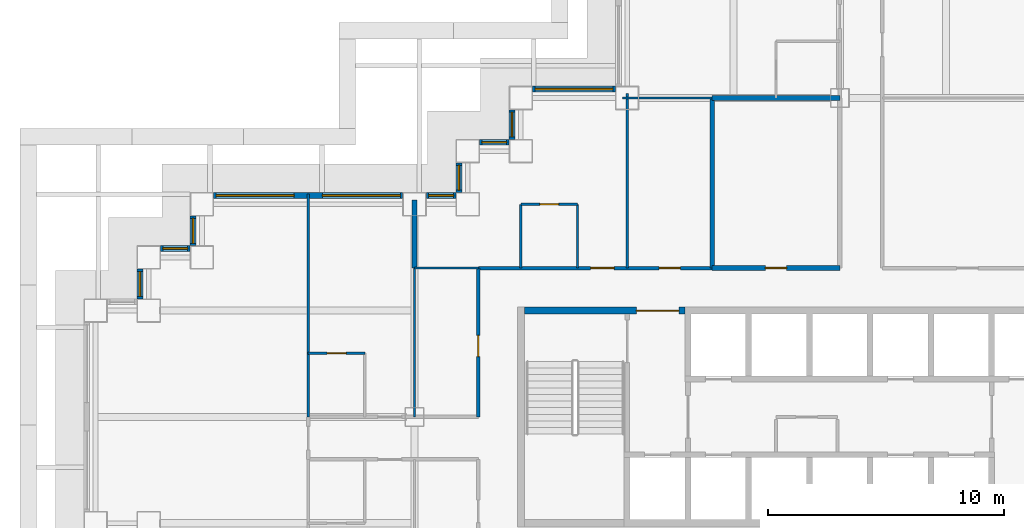
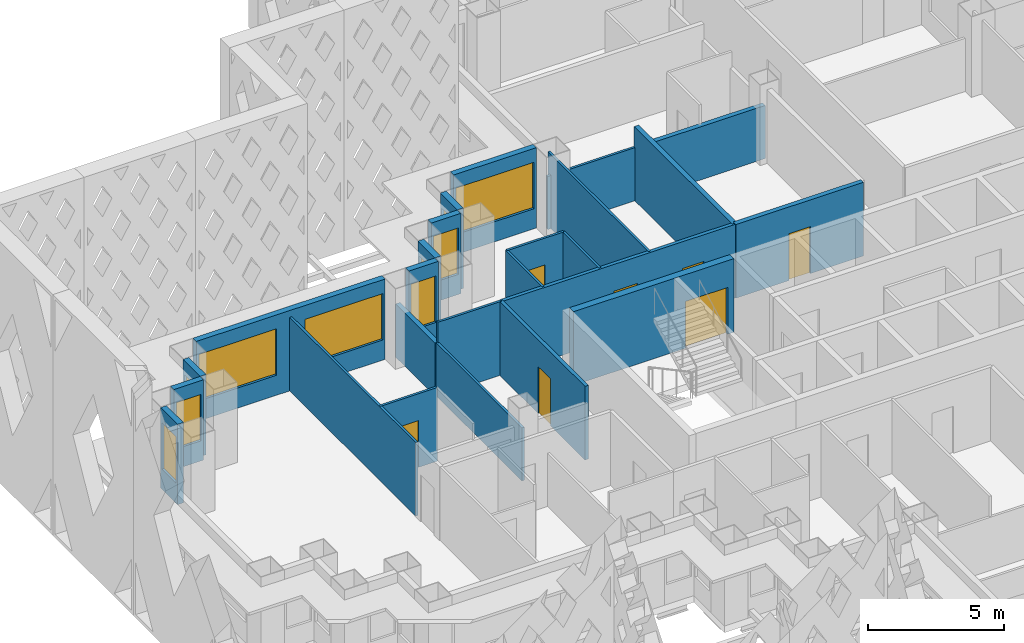
# One storey, part 7 of 19: 25 walls, 10 windows, 7 doors, 17 openings.
"""IFC4 building model written with IfcOpenShell, lengths in metres."""

import ifcopenshell
import ifcopenshell.guid

model = None  # the IFC model being written
_history = None  # IfcOwnerHistory: only IFC2X3 demands one
_inside = {}  # id of a spatial element -> (the spatial element, [elements in it])
_under = {}  # id of a project, library or spatial element -> (it, [spatial elements below it])
_declared = {}  # id of a project -> (the project, [libraries it declares])
_typed = {}  # id of a type object -> (the type object, [elements of that type])
_made_of = {}  # id of a material, layer set ... -> (it, [elements and type objects made of it])


def new_model(schema):
    """Start an empty IFC model of exactly this schema.

    Asked for "IFC4X3", IfcOpenShell would pick the latest addendum, in which some entities
    have other attributes; the version numbers below select the first issue.
    IFC2X3 requires an IfcOwnerHistory on every rooted entity: one is made here for all.
    """
    global model, _history
    if schema == "IFC4X3":
        model = ifcopenshell.file(schema_version=(4, 3, 0, 0))
    else:
        model = ifcopenshell.file(schema=schema)
    _inside.clear()
    _under.clear()
    _declared.clear()
    _typed.clear()
    _made_of.clear()
    _history = None
    if model.schema == "IFC2X3":
        org = make("IfcOrganization", Name="unknown")
        user = make(
            "IfcPersonAndOrganization",
            ThePerson=make("IfcPerson", FamilyName="unknown"),
            TheOrganization=org,
        )
        app = make(
            "IfcApplication",
            ApplicationDeveloper=org,
            Version="unknown",
            ApplicationFullName="unknown",
            ApplicationIdentifier="unknown",
        )
        _history = make(
            "IfcOwnerHistory",
            OwningUser=user,
            OwningApplication=app,
            ChangeAction="ADDED",
            CreationDate=0,
        )
    return model


def make(cls, **values):
    """One entity of the class cls with the attributes given. An attribute that is None is left unset."""
    return model.create_entity(
        cls, **{name: value for name, value in values.items() if value is not None}
    )


def rooted(cls, **values):
    """An entity with a GlobalId (a new one), such as an element, a storey or a relation."""
    return make(cls, GlobalId=ifcopenshell.guid.new(), OwnerHistory=_history, **values)


def si_unit(unit_type, name, prefix=None):
    """IfcSIUnit, for example si_unit("LENGTHUNIT", "METRE", prefix="MILLI")."""
    return make("IfcSIUnit", UnitType=unit_type, Prefix=prefix, Name=name)


def assignment(units):
    """IfcUnitAssignment: the units of a project."""
    return None if units is None else make("IfcUnitAssignment", Units=units)


def point(xyz):
    """IfcCartesianPoint."""
    return None if xyz is None else make("IfcCartesianPoint", Coordinates=xyz)


def direction(xyz):
    """IfcDirection."""
    return None if xyz is None else make("IfcDirection", DirectionRatios=xyz)


def frame(location, z_axis=None, x_axis=None):
    """IfcAxis2Placement3D, a coordinate frame: its origin and axes. An axis left out is left unset."""
    return make(
        "IfcAxis2Placement3D",
        Location=point(location),
        Axis=direction(z_axis),
        RefDirection=direction(x_axis),
    )


def frame_2d(location, x_axis=None):
    """IfcAxis2Placement2D, a coordinate frame in the plane: its origin and x axis."""
    return make(
        "IfcAxis2Placement2D", Location=point(location), RefDirection=direction(x_axis)
    )


def origin():
    """The frame at (0, 0, 0) with its axes left unset."""
    return frame((0.0, 0.0, 0.0))


def place(relative_to, where):
    """IfcLocalPlacement: puts the frame where relative to a parent placement (None: the world)."""
    return make(
        "IfcLocalPlacement", PlacementRelTo=relative_to, RelativePlacement=where
    )


def context(
    kind, dimensions, precision=None, world=None, true_north=None, identifier=None
):
    """IfcGeometricRepresentationContext, for example the 3D "Model" context."""
    return make(
        "IfcGeometricRepresentationContext",
        ContextIdentifier=identifier,
        ContextType=kind,
        CoordinateSpaceDimension=dimensions,
        Precision=precision,
        WorldCoordinateSystem=world,
        TrueNorth=true_north,
    )


def subcontext(parent, identifier, kind, view, scale=None):
    """IfcGeometricRepresentationSubContext, for example "Body" below "Model"."""
    return make(
        "IfcGeometricRepresentationSubContext",
        ContextIdentifier=identifier,
        ContextType=kind,
        ParentContext=parent,
        TargetScale=scale,
        TargetView=view,
    )


def project(units=None, contexts=None):
    """IfcProject with its units and contexts."""
    return rooted(
        "IfcProject",
        Name="project",
        RepresentationContexts=contexts,
        UnitsInContext=assignment(units),
    )


def spatial(cls, under=None, at=None, **own):
    """A site, building, storey or space (cls), placed at a placement, below another one or the project."""
    s = rooted(cls, ObjectPlacement=at, **own)
    if under is not None:
        _under.setdefault(under.id(), (under, []))[1].append(s)
    return s


def profile(cls, at=None, kind="AREA", **sizes):
    """A parametric profile (cls). Its sizes go by their IFC names, for example OverallWidth=200.0."""
    return make(cls, ProfileType=kind, Position=at, **sizes)


def rectangle(**sizes):
    """IfcRectangleProfileDef."""
    return profile("IfcRectangleProfileDef", **sizes)


def extrude(swept, where, along, depth):
    """IfcExtrudedAreaSolid: the profile swept, set in the frame where, extruded along a direction by depth."""
    return make(
        "IfcExtrudedAreaSolid",
        SweptArea=swept,
        Position=where,
        ExtrudedDirection=direction(along),
        Depth=depth,
    )


def shape(context_of_items, identifier, shape_type, items):
    """IfcShapeRepresentation: the items that make up one representation, for example the "Body"."""
    return make(
        "IfcShapeRepresentation",
        ContextOfItems=context_of_items,
        RepresentationIdentifier=identifier,
        RepresentationType=shape_type,
        Items=items,
    )


def material(Name=None, Category=None):
    """IfcMaterial."""
    return make("IfcMaterial", Name=Name, Category=Category)


def layer(
    of_material, thickness, ventilated=None, Name=None, Category=None, Priority=None
):
    """IfcMaterialLayer: one layer of a wall or slab, of a material (None: an air gap)."""
    return make(
        "IfcMaterialLayer",
        Material=of_material,
        LayerThickness=thickness,
        IsVentilated=ventilated,
        Name=Name,
        Category=Category,
        Priority=Priority,
    )


def layer_set(layers, Name=None):
    """IfcMaterialLayerSet."""
    return make("IfcMaterialLayerSet", MaterialLayers=layers, LayerSetName=Name)


def made_of(thing, what):
    """Note that an element or type object is made of a material, layer set ...; save() writes the relation."""
    if what is not None:
        _made_of.setdefault(what.id(), (what, []))[1].append(thing)
    return thing


def type_object(cls, material=None, **own):
    """A type object (cls), such as IfcWallType, which elements share."""
    return made_of(rooted(cls, **own), material)


def element(
    cls,
    number,
    at=None,
    inside=None,
    cuts=None,
    type_object=None,
    material=None,
    context=None,
    identifier="Body",
    shape_type=None,
    held_by="IfcProductDefinitionShape",
    body=None,
    shapes=None,
    **own,
):
    """One element of the class cls, such as IfcWall. Its Tag is "e" and its number.

    at: its placement. inside: the storey or other place that contains it. cuts: it is an
    opening in that element (IfcRelVoidsElement). A single representation is given by context,
    identifier, shape_type and body (its items); several are given by shapes. held_by: the class
    of the entity that holds the representations. save() writes the other relations.
    """
    e = rooted(cls, Tag="e%d" % number, ObjectPlacement=at, **own)
    if body is not None:
        shapes = [shape(context, identifier, shape_type, body)]
    if shapes is not None:
        e.Representation = make(held_by, Representations=shapes)
    if inside is not None:
        _inside.setdefault(inside.id(), (inside, []))[1].append(e)
    if cuts is not None:
        rooted(
            "IfcRelVoidsElement", RelatingBuildingElement=cuts, RelatedOpeningElement=e
        )
    if type_object is not None:
        _typed.setdefault(type_object.id(), (type_object, []))[1].append(e)
    return made_of(e, material)


def fill(opening, filler):
    """IfcRelFillsElement: the door or window that sits in an opening."""
    return rooted(
        "IfcRelFillsElement",
        RelatingOpeningElement=opening,
        RelatedBuildingElement=filler,
    )


def aggregate(whole, parts):
    """IfcRelAggregates: a whole, such as a stair, and the parts it consists of."""
    return rooted("IfcRelAggregates", RelatingObject=whole, RelatedObjects=parts)


def save(model, path):
    """Write the relations noted so far, then the file.

    IfcRelAggregates (storeys below a building ...), IfcRelContainedInSpatialStructure (elements
    in a storey), IfcRelDefinesByType, IfcRelAssociatesMaterial and IfcRelDeclares: one each for
    every whole, place, type object, material and project.
    """
    for whole, parts in _under.values():
        aggregate(whole, parts)
    for where, things in _inside.values():
        rooted(
            "IfcRelContainedInSpatialStructure",
            RelatedElements=things,
            RelatingStructure=where,
        )
    for kind, things in _typed.values():
        rooted("IfcRelDefinesByType", RelatedObjects=things, RelatingType=kind)
    for what, things in _made_of.values():
        rooted("IfcRelAssociatesMaterial", RelatedObjects=things, RelatingMaterial=what)
    for by, libraries in _declared.values():
        rooted("IfcRelDeclares", RelatingContext=by, RelatedDefinitions=libraries)
    model.write(path)


model = new_model("IFC4")

# Units and contexts
model_context = context("Model", 3, precision=1e-05, world=origin(), true_north=direction((0.0, 1.0)))
body_context = subcontext(model_context, "Body", "Model", "MODEL_VIEW")
ifc_project = project(units=[si_unit("LENGTHUNIT", "METRE"), si_unit("AREAUNIT", "SQUARE_METRE"), si_unit("VOLUMEUNIT", "CUBIC_METRE"), si_unit("PLANEANGLEUNIT", "RADIAN"), si_unit("MASSUNIT", "GRAM", prefix="KILO")], contexts=[model_context])

# Site, building, storey
site_placement = place(None, origin())
site = spatial("IfcSite", under=ifc_project, at=site_placement, CompositionType="ELEMENT")
building_placement = place(site_placement, origin())
building = spatial("IfcBuilding", under=site, at=building_placement, Name="Caravel Reach Hotel and Residences", CompositionType="ELEMENT")
storey_placement = place(building_placement, frame((0.0, 0.0, 63.60009765625)))
storey = spatial("IfcBuildingStorey", under=building, at=storey_placement, Name="L14", CompositionType="ELEMENT", Elevation=63.60009765625)

# Wall, opening, door
ifc_material_1 = material(Name="Gypsum board on steel stud", Category="steel")
ifc_layer_1 = layer(ifc_material_1, 0.10009765625)
ifc_layer_set_1 = layer_set([ifc_layer_1], Name="Bathroom pod wall 100 mm")
wall_type_1 = type_object("IfcWallType", Name="Bathroom pod wall 100 mm", PredefinedType="PARTITIONING", material=ifc_layer_set_1)
wall_1_placement = place(storey_placement, frame((9.0, 29.699951171875, 0.0), z_axis=(0.0, 0.0, 1.0), x_axis=(1.0, 0.0, 0.0)))
wall_1 = element("IfcWall", 1, at=wall_1_placement, inside=storey, type_object=wall_type_1, Name="L14 wall w079", PredefinedType="PARTITIONING", context=body_context, shape_type="SweptSolid", body=[
    extrude(rectangle(XDim=2.39990234375, YDim=0.10009765625, at=frame_2d((1.199951171875, 0.0))), origin(), (0.0, 0.0, 1.0), 3.2998046875),
])
opening_1_placement = place(wall_1_placement, frame((0.800048828125, 0.0, 0.0)))
opening_1 = element("IfcOpeningElement", 2, at=opening_1_placement, cuts=wall_1, Name="Opening D14-018", PredefinedType="OPENING", context=body_context, shape_type="SweptSolid", body=[
    extrude(rectangle(XDim=0.800048828125, YDim=2.10009765625, at=frame_2d((0.39990234375, 1.050048828125))), frame((0.0, 0.06005859375, 0.0), z_axis=(0.0, -1.0, 0.0), x_axis=(1.0, 0.0, 0.0)), (0.0, 0.0, 1.0), 0.1201171875),
])
ifc_material_2 = material(Name="Timber and steel door leaf", Category="steel")
door_type_1 = type_object("IfcDoorType", Name="Bathroom door 800 x 2100", OperationType="SINGLE_SWING_LEFT", PredefinedType="DOOR", material=ifc_material_2)
door_1_placement = place(opening_1_placement, origin())
door_1 = element("IfcDoor", 3, at=door_1_placement, inside=storey, type_object=door_type_1, Name="door D14-018", OperationType="SINGLE_SWING_LEFT", OverallHeight=2.10009765625, OverallWidth=0.800048828125, PredefinedType="DOOR", context=body_context, shape_type="SweptSolid", body=[
    extrude(rectangle(XDim=0.800048828125, YDim=2.10009765625, at=frame_2d((0.39990234375, 1.050048828125))), frame((0.0, 0.02490234375, 0.0), z_axis=(0.0, -1.0, 0.0), x_axis=(1.0, 0.0, 0.0)), (0.0, 0.0, 1.0), 0.050048828125),
])
fill(opening_1, door_1)

wall_2_placement = place(storey_placement, frame((18.0, 36.0, 0.0), z_axis=(0.0, 0.0, 1.0), x_axis=(1.0, 0.0, 0.0)))
wall_2 = element("IfcWall", 4, at=wall_2_placement, inside=storey, type_object=wall_type_1, Name="L14 wall w081", PredefinedType="PARTITIONING", context=body_context, shape_type="SweptSolid", body=[
    extrude(rectangle(XDim=2.39990234375, YDim=0.10009765625, at=frame_2d((1.199951171875, 0.0))), origin(), (0.0, 0.0, 1.0), 3.2998046875),
])
opening_2_placement = place(wall_2_placement, frame((0.800048828125, 0.0, 0.0)))
opening_2 = element("IfcOpeningElement", 5, at=opening_2_placement, cuts=wall_2, Name="Opening D14-043", PredefinedType="OPENING", context=body_context, shape_type="SweptSolid", body=[
    extrude(rectangle(XDim=0.800048828125, YDim=2.10009765625, at=frame_2d((0.39990234375, 1.050048828125))), frame((0.0, 0.06005859375, 0.0), z_axis=(0.0, -1.0, 0.0), x_axis=(1.0, 0.0, 0.0)), (0.0, 0.0, 1.0), 0.1201171875),
])
door_2_placement = place(opening_2_placement, origin())
door_2 = element("IfcDoor", 6, at=door_2_placement, inside=storey, type_object=door_type_1, Name="door D14-043", OperationType="SINGLE_SWING_RIGHT", OverallHeight=2.10009765625, OverallWidth=0.800048828125, PredefinedType="DOOR", context=body_context, shape_type="SweptSolid", body=[
    extrude(rectangle(XDim=0.800048828125, YDim=2.10009765625, at=frame_2d((0.39990234375, 1.050048828125))), frame((0.0, 0.02490234375, 0.0), z_axis=(0.0, -1.0, 0.0), x_axis=(1.0, 0.0, 0.0)), (0.0, 0.0, 1.0), 0.050048828125),
])
fill(opening_2, door_2)

# Walls
for number, where, z_axis, x_axis, name in (
    (7, (18.0, 33.300048828125, 0.0), (0.0, 0.0, 1.0), (0.0, 1.0, 0.0), "L14 wall w090"),
    (8, (20.39990234375, 33.300048828125, 0.0), (0.0, 0.0, 1.0), (0.0, 1.0, 0.0), "L14 wall w091"),
):
    element("IfcWall", number, at=place(storey_placement, frame(where, z_axis=z_axis, x_axis=x_axis)), inside=storey, type_object=wall_type_1, Name=name, PredefinedType="PARTITIONING", context=body_context, shape_type="SweptSolid", body=[
        extrude(rectangle(XDim=2.699951171875, YDim=0.10009765625, at=frame_2d((1.35009765625, 0.0))), origin(), (0.0, 0.0, 1.0), 3.2998046875),
    ])

# Wall, opening, door
ifc_material_3 = material(Name="Autoclaved aerated block wall")
ifc_layer_2 = layer(ifc_material_3, 0.199951171875)
ifc_layer_set_2 = layer_set([ifc_layer_2], Name="Compartment wall 200 mm EI 120")
wall_type_2 = type_object("IfcWallType", Name="Compartment wall 200 mm EI 120", PredefinedType="PARTITIONING", material=ifc_layer_set_2)
wall_3_placement = place(storey_placement, frame((26.10009765625, 33.300048828125, 0.0), z_axis=(0.0, 0.0, 1.0), x_axis=(1.0, 0.0, 0.0)))
wall_3 = element("IfcWall", 9, at=wall_3_placement, inside=storey, type_object=wall_type_2, Name="L14 wall w105", PredefinedType="PARTITIONING", context=body_context, shape_type="SweptSolid", body=[
    extrude(rectangle(XDim=5.39990234375, YDim=0.199951171875, at=frame_2d((2.699951171875, 0.0))), origin(), (0.0, 0.0, 1.0), 3.2998046875),
])
opening_3_placement = place(wall_3_placement, frame((2.25, 0.0, 0.0)))
opening_3 = element("IfcOpeningElement", 10, at=opening_3_placement, cuts=wall_3, Name="Opening D14-052", PredefinedType="OPENING", context=body_context, shape_type="SweptSolid", body=[
    extrude(rectangle(XDim=0.89990234375, YDim=2.10009765625, at=frame_2d((0.449951171875, 1.050048828125))), frame((0.0, 0.10986328125, 0.0), z_axis=(0.0, -1.0, 0.0), x_axis=(1.0, 0.0, 0.0)), (0.0, 0.0, 1.0), 0.219970703125),
])
ifc_material_4 = material(Name="Steel fire door leaf", Category="steel")
door_type_2 = type_object("IfcDoorType", Name="Riser door 900 x 2100 EI 60", OperationType="SINGLE_SWING_LEFT", PredefinedType="DOOR", material=ifc_material_4)
door_3_placement = place(opening_3_placement, origin())
door_3 = element("IfcDoor", 11, at=door_3_placement, inside=storey, type_object=door_type_2, Name="door D14-052", OperationType="SINGLE_SWING_LEFT", OverallHeight=2.10009765625, OverallWidth=0.89990234375, PredefinedType="DOOR", context=body_context, shape_type="SweptSolid", body=[
    extrude(rectangle(XDim=0.89990234375, YDim=2.10009765625, at=frame_2d((0.449951171875, 1.050048828125))), frame((0.0, 0.02490234375, 0.0), z_axis=(0.0, -1.0, 0.0), x_axis=(1.0, 0.0, 0.0)), (0.0, 0.0, 1.0), 0.050048828125),
])
fill(opening_3, door_3)

# Walls
wall_4_placement = place(storey_placement, frame((26.10009765625, 40.5, 0.0), z_axis=(0.0, 0.0, 1.0), x_axis=(1.0, 0.0, 0.0)))
element("IfcWall", 12, at=wall_4_placement, inside=storey, type_object=wall_type_2, Name="L14 wall w106", PredefinedType="PARTITIONING", context=body_context, shape_type="SweptSolid", body=[
    extrude(rectangle(XDim=5.39990234375, YDim=0.199951171875, at=frame_2d((2.699951171875, 0.0))), origin(), (0.0, 0.0, 1.0), 2.3798828125),
])
wall_5_placement = place(storey_placement, frame((26.10009765625, 33.300048828125, 0.0), z_axis=(0.0, 0.0, 1.0), x_axis=(0.0, 1.0, 0.0)))
element("IfcWall", 13, at=wall_5_placement, inside=storey, type_object=wall_type_2, Name="L14 wall w107", PredefinedType="PARTITIONING", context=body_context, shape_type="SweptSolid", body=[
    extrude(rectangle(XDim=7.199951171875, YDim=0.199951171875, at=frame_2d((3.60009765625, 0.0))), origin(), (0.0, 0.0, 1.0), 3.2998046875),
])

# Wall, opening, door
ifc_material_5 = material(Name="Concrete C60", Category="concrete")
ifc_layer_3 = layer(ifc_material_5, 0.300048828125)
ifc_layer_set_3 = layer_set([ifc_layer_3], Name="Core wall 300 mm EI 120")
wall_type_3 = type_object("IfcWallType", Name="Core wall 300 mm EI 120", PredefinedType="SHEAR", material=ifc_layer_set_3)
wall_6_placement = place(storey_placement, frame((18.14990234375, 31.5, 0.0), z_axis=(0.0, 0.0, 1.0), x_axis=(1.0, 0.0, 0.0)))
wall_6 = element("IfcWall", 14, at=wall_6_placement, inside=storey, type_object=wall_type_3, Name="L14 core wall N1", PredefinedType="SHEAR", context=body_context, shape_type="SweptSolid", body=[
    extrude(rectangle(XDim=6.796630859375, YDim=0.300048828125, at=frame_2d((3.3984375, 0.0))), origin(), (0.0, 0.0, 1.0), 3.2998046875),
])
opening_4_placement = place(wall_6_placement, frame((4.735595703125, 0.0, 0.0)))
opening_4 = element("IfcOpeningElement", 15, at=opening_4_placement, cuts=wall_6, Name="Opening D14-013", PredefinedType="OPENING", context=body_context, shape_type="SweptSolid", body=[
    extrude(rectangle(XDim=1.800048828125, YDim=2.10009765625, at=frame_2d((0.89990234375, 1.050048828125))), frame((0.0, 0.159912109375, 0.0), z_axis=(0.0, -1.0, 0.0), x_axis=(1.0, 0.0, 0.0)), (0.0, 0.0, 1.0), 0.320068359375),
])
ifc_material_6 = material(Name="Steel fire door leaf", Category="steel")
door_type_3 = type_object("IfcDoorType", Name="Fire lobby door pair 1800 x 2100 EI 90", OperationType="DOUBLE_DOOR_SINGLE_SWING", PredefinedType="DOOR", material=ifc_material_6)
door_4_placement = place(opening_4_placement, origin())
door_4 = element("IfcDoor", 16, at=door_4_placement, inside=storey, type_object=door_type_3, Name="lobby N door pair to corridor", OperationType="DOUBLE_DOOR_SINGLE_SWING", OverallHeight=2.10009765625, OverallWidth=1.800048828125, PredefinedType="DOOR", context=body_context, shape_type="SweptSolid", body=[
    extrude(rectangle(XDim=1.800048828125, YDim=2.10009765625, at=frame_2d((0.89990234375, 1.050048828125))), frame((0.0, 0.02490234375, 0.0), z_axis=(0.0, -1.0, 0.0), x_axis=(1.0, 0.0, 0.0)), (0.0, 0.0, 1.0), 0.050048828125),
])
fill(opening_4, door_4)

# Wall, openings, doors
ifc_material_7 = material(Name="Gypsum board on steel stud, fire-rated", Category="steel")
ifc_layer_4 = layer(ifc_material_7, 0.14990234375)
ifc_layer_set_4 = layer_set([ifc_layer_4], Name="Corridor wall 150 mm EI 60")
wall_type_4 = type_object("IfcWallType", Name="Corridor wall 150 mm EI 60", PredefinedType="PARTITIONING", material=ifc_layer_set_4)
wall_7_placement = place(storey_placement, frame((16.199951171875, 33.300048828125, 0.0), z_axis=(0.0, 0.0, 1.0), x_axis=(1.0, 0.0, 0.0)))
wall_7 = element("IfcWall", 17, at=wall_7_placement, inside=storey, type_object=wall_type_4, Name="L14 wall w015", PredefinedType="PARTITIONING", context=body_context, shape_type="SweptSolid", body=[
    extrude(rectangle(XDim=9.900146484375, YDim=0.14990234375, at=frame_2d((4.9501953125, 0.0))), origin(), (0.0, 0.0, 1.0), 3.2998046875),
])
opening_5_placement = place(wall_7_placement, frame((4.75, 0.0, 0.0)))
opening_5 = element("IfcOpeningElement", 18, at=opening_5_placement, cuts=wall_7, Name="Opening D14-042", PredefinedType="OPENING", context=body_context, shape_type="SweptSolid", body=[
    extrude(rectangle(XDim=1.0, YDim=2.10009765625, at=frame_2d((0.5, 1.050048828125))), frame((0.0, 0.0849609375, 0.0), z_axis=(0.0, -1.0, 0.0), x_axis=(1.0, 0.0, 0.0)), (0.0, 0.0, 1.0), 0.169921875),
])
opening_6_placement = place(wall_7_placement, frame((7.650146484375, 0.0, 0.0)))
opening_6 = element("IfcOpeningElement", 19, at=opening_6_placement, cuts=wall_7, Name="Opening D14-051", PredefinedType="OPENING", context=body_context, shape_type="SweptSolid", body=[
    extrude(rectangle(XDim=0.89990234375, YDim=2.10009765625, at=frame_2d((0.449951171875, 1.050048828125))), frame((0.0, 0.0849609375, 0.0), z_axis=(0.0, -1.0, 0.0), x_axis=(1.0, 0.0, 0.0)), (0.0, 0.0, 1.0), 0.169921875),
])
ifc_material_8 = material(Name="Timber and steel door leaf", Category="steel")
door_type_4 = type_object("IfcDoorType", Name="Door 900 x 2100 timber", OperationType="SINGLE_SWING_LEFT", PredefinedType="DOOR", material=ifc_material_8)
door_5_placement = place(opening_6_placement, origin())
door_5 = element("IfcDoor", 20, at=door_5_placement, inside=storey, type_object=door_type_4, Name="door D14-051", OperationType="SINGLE_SWING_RIGHT", OverallHeight=2.10009765625, OverallWidth=0.89990234375, PredefinedType="DOOR", context=body_context, shape_type="SweptSolid", body=[
    extrude(rectangle(XDim=0.89990234375, YDim=2.10009765625, at=frame_2d((0.449951171875, 1.050048828125))), frame((0.0, 0.02490234375, 0.0), z_axis=(0.0, -1.0, 0.0), x_axis=(1.0, 0.0, 0.0)), (0.0, 0.0, 1.0), 0.050048828125),
])
fill(opening_6, door_5)
ifc_material_9 = material(Name="Steel fire door leaf", Category="steel")
door_type_5 = type_object("IfcDoorType", Name="Guest room door 1000 x 2100 EI 30", OperationType="SINGLE_SWING_LEFT", PredefinedType="DOOR", material=ifc_material_9)
door_6_placement = place(opening_5_placement, origin())
door_6 = element("IfcDoor", 21, at=door_6_placement, inside=storey, type_object=door_type_5, Name="door D14-042", OperationType="SINGLE_SWING_RIGHT", OverallHeight=2.10009765625, OverallWidth=1.0, PredefinedType="DOOR", context=body_context, shape_type="SweptSolid", body=[
    extrude(rectangle(XDim=1.0, YDim=2.10009765625, at=frame_2d((0.5, 1.050048828125))), frame((0.0, 0.02490234375, 0.0), z_axis=(0.0, -1.0, 0.0), x_axis=(1.0, 0.0, 0.0)), (0.0, 0.0, 1.0), 0.050048828125),
])
fill(opening_5, door_6)

# Wall, opening, door
wall_8_placement = place(storey_placement, frame((16.199951171875, 27.0, 0.0), z_axis=(0.0, 0.0, 1.0), x_axis=(0.0, 1.0, 0.0)))
wall_8 = element("IfcWall", 22, at=wall_8_placement, inside=storey, type_object=wall_type_4, Name="L14 wall w021", PredefinedType="PARTITIONING", context=body_context, shape_type="SweptSolid", body=[
    extrude(rectangle(XDim=6.300048828125, YDim=0.14990234375, at=frame_2d((3.14990234375, 0.0))), origin(), (0.0, 0.0, 1.0), 3.2998046875),
])
opening_7_placement = place(wall_8_placement, frame((2.550048828125, 0.0, 0.0)))
opening_7 = element("IfcOpeningElement", 23, at=opening_7_placement, cuts=wall_8, Name="Opening D14-058", PredefinedType="OPENING", context=body_context, shape_type="SweptSolid", body=[
    extrude(rectangle(XDim=0.89990234375, YDim=2.10009765625, at=frame_2d((0.449951171875, 1.050048828125))), frame((0.0, 0.0849609375, 0.0), z_axis=(0.0, -1.0, 0.0), x_axis=(1.0, 0.0, 0.0)), (0.0, 0.0, 1.0), 0.169921875),
])
door_7_placement = place(opening_7_placement, origin())
door_7 = element("IfcDoor", 24, at=door_7_placement, inside=storey, type_object=door_type_4, Name="door D14-058", OperationType="SINGLE_SWING_LEFT", OverallHeight=2.10009765625, OverallWidth=0.89990234375, PredefinedType="DOOR", context=body_context, shape_type="SweptSolid", body=[
    extrude(rectangle(XDim=0.89990234375, YDim=2.10009765625, at=frame_2d((0.449951171875, 1.050048828125))), frame((0.0, 0.02490234375, 0.0), z_axis=(0.0, -1.0, 0.0), x_axis=(1.0, 0.0, 0.0)), (0.0, 0.0, 1.0), 0.050048828125),
])
fill(opening_7, door_7)

# Wall, opening, window
ifc_material_10 = material(Name="Insulated rainscreen wall, aluminium cladding", Category="aluminium")
ifc_layer_5 = layer(ifc_material_10, 0.25)
ifc_layer_set_5 = layer_set([ifc_layer_5], Name="EW1 Tower rainscreen wall")
wall_type_5 = type_object("IfcWallType", Name="EW1 Tower rainscreen wall", PredefinedType="SOLIDWALL", material=ifc_layer_set_5)
wall_9_placement = place(storey_placement, frame((22.0, 40.875, 0.0), z_axis=(0.0, 0.0, 1.0), x_axis=(-1.0, 0.0, 0.0)))
wall_9 = element("IfcWall", 25, at=wall_9_placement, inside=storey, type_object=wall_type_5, Name="External wall L14 N41.1", PredefinedType="SOLIDWALL", context=body_context, shape_type="SweptSolid", body=[
    extrude(rectangle(XDim=3.5, YDim=0.25, at=frame_2d((1.75, 0.0))), origin(), (0.0, 0.0, 1.0), 3.599853515625),
])
opening_8_placement = place(wall_9_placement, frame((0.10009765625, 0.0, 0.89990234375)))
opening_8 = element("IfcOpeningElement", 26, at=opening_8_placement, cuts=wall_9, Name="Opening WN4", PredefinedType="OPENING", context=body_context, shape_type="SweptSolid", body=[
    extrude(rectangle(XDim=3.300048828125, YDim=2.080078125, at=frame_2d((1.64990234375, 1.0400390625))), frame((0.0, 0.135009765625, 0.0), z_axis=(0.0, -1.0, 0.0), x_axis=(1.0, 0.0, 0.0)), (0.0, 0.0, 1.0), 0.27001953125),
])
ifc_material_11 = material(Name="Dark low-e glazing in black aluminium frame", Category="aluminium")
window_type_1 = type_object("IfcWindowType", Name="Hotel guest room window 3300 x 2080", PartitioningType="SINGLE_PANEL", PredefinedType="WINDOW", material=ifc_material_11)
window_1_placement = place(opening_8_placement, origin())
window_1 = element("IfcWindow", 27, at=window_1_placement, inside=storey, type_object=window_type_1, Name="Window L14 N41.1.1", OverallHeight=2.080078125, OverallWidth=3.300048828125, PartitioningType="SINGLE_PANEL", PredefinedType="WINDOW", context=body_context, shape_type="SweptSolid", body=[
    extrude(rectangle(XDim=3.300048828125, YDim=2.080078125, at=frame_2d((1.64990234375, 1.0400390625))), frame((0.0, 0.030029296875, 0.0), z_axis=(0.0, -1.0, 0.0), x_axis=(1.0, 0.0, 0.0)), (0.0, 0.0, 1.0), 0.06005859375),
])
fill(opening_8, window_1)

wall_10_placement = place(storey_placement, frame((17.625, 40.0, 0.0), z_axis=(0.0, 0.0, 1.0), x_axis=(0.0, -1.0, 0.0)))
wall_10 = element("IfcWall", 28, at=wall_10_placement, inside=storey, type_object=wall_type_5, Name="External wall L14 W42.1", PredefinedType="SOLIDWALL", context=body_context, shape_type="SweptSolid", body=[
    extrude(rectangle(XDim=1.25, YDim=0.25, at=frame_2d((0.625, 0.0))), origin(), (0.0, 0.0, 1.0), 3.599853515625),
])
opening_9_placement = place(wall_10_placement, frame((0.10009765625, 0.0, 0.89990234375)))
opening_9 = element("IfcOpeningElement", 29, at=opening_9_placement, cuts=wall_10, Name="Opening WN3", PredefinedType="OPENING", context=body_context, shape_type="SweptSolid", body=[
    extrude(rectangle(XDim=1.050048828125, YDim=2.080078125, at=frame_2d((0.52490234375, 1.0400390625))), frame((0.0, 0.135009765625, 0.0), z_axis=(0.0, -1.0, 0.0), x_axis=(1.0, 0.0, 0.0)), (0.0, 0.0, 1.0), 0.27001953125),
])
ifc_material_12 = material(Name="Dark low-e glazing in black aluminium frame", Category="aluminium")
window_type_2 = type_object("IfcWindowType", Name="Hotel suite corner window 1050 x 2080", PartitioningType="SINGLE_PANEL", PredefinedType="WINDOW", material=ifc_material_12)
window_2_placement = place(opening_9_placement, origin())
window_2 = element("IfcWindow", 30, at=window_2_placement, inside=storey, type_object=window_type_2, Name="Window L14 W42.1.1", OverallHeight=2.080078125, OverallWidth=1.050048828125, PartitioningType="SINGLE_PANEL", PredefinedType="WINDOW", context=body_context, shape_type="SweptSolid", body=[
    extrude(rectangle(XDim=1.050048828125, YDim=2.080078125, at=frame_2d((0.52490234375, 1.0400390625))), frame((0.0, 0.030029296875, 0.0), z_axis=(0.0, -1.0, 0.0), x_axis=(1.0, 0.0, 0.0)), (0.0, 0.0, 1.0), 0.06005859375),
])
fill(opening_9, window_2)

wall_11_placement = place(storey_placement, frame((17.5, 38.625, 0.0), z_axis=(0.0, 0.0, 1.0), x_axis=(-1.0, 0.0, 0.0)))
wall_11 = element("IfcWall", 31, at=wall_11_placement, inside=storey, type_object=wall_type_5, Name="External wall L14 N43.1", PredefinedType="SOLIDWALL", context=body_context, shape_type="SweptSolid", body=[
    extrude(rectangle(XDim=1.25, YDim=0.25, at=frame_2d((0.625, 0.0))), origin(), (0.0, 0.0, 1.0), 3.599853515625),
])
opening_10_placement = place(wall_11_placement, frame((0.10009765625, 0.0, 0.89990234375)))
opening_10 = element("IfcOpeningElement", 32, at=opening_10_placement, cuts=wall_11, Name="Opening WN3", PredefinedType="OPENING", context=body_context, shape_type="SweptSolid", body=[
    extrude(rectangle(XDim=1.050048828125, YDim=2.080078125, at=frame_2d((0.52490234375, 1.0400390625))), frame((0.0, 0.135009765625, 0.0), z_axis=(0.0, -1.0, 0.0), x_axis=(1.0, 0.0, 0.0)), (0.0, 0.0, 1.0), 0.27001953125),
])
window_3_placement = place(opening_10_placement, origin())
window_3 = element("IfcWindow", 33, at=window_3_placement, inside=storey, type_object=window_type_2, Name="Window L14 N43.1.1", OverallHeight=2.080078125, OverallWidth=1.050048828125, PartitioningType="SINGLE_PANEL", PredefinedType="WINDOW", context=body_context, shape_type="SweptSolid", body=[
    extrude(rectangle(XDim=1.050048828125, YDim=2.080078125, at=frame_2d((0.52490234375, 1.0400390625))), frame((0.0, 0.030029296875, 0.0), z_axis=(0.0, -1.0, 0.0), x_axis=(1.0, 0.0, 0.0)), (0.0, 0.0, 1.0), 0.06005859375),
])
fill(opening_10, window_3)

wall_12_placement = place(storey_placement, frame((15.375, 37.75, 0.0), z_axis=(0.0, 0.0, 1.0), x_axis=(0.0, -1.0, 0.0)))
wall_12 = element("IfcWall", 34, at=wall_12_placement, inside=storey, type_object=wall_type_5, Name="External wall L14 W44.1", PredefinedType="SOLIDWALL", context=body_context, shape_type="SweptSolid", body=[
    extrude(rectangle(XDim=1.25, YDim=0.25, at=frame_2d((0.625, 0.0))), origin(), (0.0, 0.0, 1.0), 3.599853515625),
])
opening_11_placement = place(wall_12_placement, frame((0.10009765625, 0.0, 0.89990234375)))
opening_11 = element("IfcOpeningElement", 35, at=opening_11_placement, cuts=wall_12, Name="Opening WN3", PredefinedType="OPENING", context=body_context, shape_type="SweptSolid", body=[
    extrude(rectangle(XDim=1.050048828125, YDim=2.080078125, at=frame_2d((0.52490234375, 1.0400390625))), frame((0.0, 0.135009765625, 0.0), z_axis=(0.0, -1.0, 0.0), x_axis=(1.0, 0.0, 0.0)), (0.0, 0.0, 1.0), 0.27001953125),
])
window_4_placement = place(opening_11_placement, origin())
window_4 = element("IfcWindow", 36, at=window_4_placement, inside=storey, type_object=window_type_2, Name="Window L14 W44.1.1", OverallHeight=2.080078125, OverallWidth=1.050048828125, PartitioningType="SINGLE_PANEL", PredefinedType="WINDOW", context=body_context, shape_type="SweptSolid", body=[
    extrude(rectangle(XDim=1.050048828125, YDim=2.080078125, at=frame_2d((0.52490234375, 1.0400390625))), frame((0.0, 0.030029296875, 0.0), z_axis=(0.0, -1.0, 0.0), x_axis=(1.0, 0.0, 0.0)), (0.0, 0.0, 1.0), 0.06005859375),
])
fill(opening_11, window_4)

wall_13_placement = place(storey_placement, frame((15.25, 36.375, 0.0), z_axis=(0.0, 0.0, 1.0), x_axis=(-1.0, 0.0, 0.0)))
wall_13 = element("IfcWall", 37, at=wall_13_placement, inside=storey, type_object=wall_type_5, Name="External wall L14 N45.1", PredefinedType="SOLIDWALL", context=body_context, shape_type="SweptSolid", body=[
    extrude(rectangle(XDim=1.25, YDim=0.25, at=frame_2d((0.625, 0.0))), origin(), (0.0, 0.0, 1.0), 3.599853515625),
])
opening_12_placement = place(wall_13_placement, frame((0.10009765625, 0.0, 0.89990234375)))
opening_12 = element("IfcOpeningElement", 38, at=opening_12_placement, cuts=wall_13, Name="Opening WN3", PredefinedType="OPENING", context=body_context, shape_type="SweptSolid", body=[
    extrude(rectangle(XDim=1.050048828125, YDim=2.080078125, at=frame_2d((0.52490234375, 1.0400390625))), frame((0.0, 0.135009765625, 0.0), z_axis=(0.0, -1.0, 0.0), x_axis=(1.0, 0.0, 0.0)), (0.0, 0.0, 1.0), 0.27001953125),
])
window_5_placement = place(opening_12_placement, origin())
window_5 = element("IfcWindow", 39, at=window_5_placement, inside=storey, type_object=window_type_2, Name="Window L14 N45.1.1", OverallHeight=2.080078125, OverallWidth=1.050048828125, PartitioningType="SINGLE_PANEL", PredefinedType="WINDOW", context=body_context, shape_type="SweptSolid", body=[
    extrude(rectangle(XDim=1.050048828125, YDim=2.080078125, at=frame_2d((0.52490234375, 1.0400390625))), frame((0.0, 0.030029296875, 0.0), z_axis=(0.0, -1.0, 0.0), x_axis=(1.0, 0.0, 0.0)), (0.0, 0.0, 1.0), 0.06005859375),
])
fill(opening_12, window_5)

# Wall, openings, windows
wall_14_placement = place(storey_placement, frame((13.0, 36.375, 0.0), z_axis=(0.0, 0.0, 1.0), x_axis=(-1.0, 0.0, 0.0)))
wall_14 = element("IfcWall", 40, at=wall_14_placement, inside=storey, type_object=wall_type_5, Name="External wall L14 N45.2", PredefinedType="SOLIDWALL", context=body_context, shape_type="SweptSolid", body=[
    extrude(rectangle(XDim=8.0, YDim=0.25, at=frame_2d((4.0, 0.0))), origin(), (0.0, 0.0, 1.0), 3.599853515625),
])
opening_13_placement = place(wall_14_placement, frame((0.10009765625, 0.0, 0.89990234375)))
opening_13 = element("IfcOpeningElement", 41, at=opening_13_placement, cuts=wall_14, Name="Opening WN4", PredefinedType="OPENING", context=body_context, shape_type="SweptSolid", body=[
    extrude(rectangle(XDim=3.300048828125, YDim=2.080078125, at=frame_2d((1.64990234375, 1.0400390625))), frame((0.0, 0.135009765625, 0.0), z_axis=(0.0, -1.0, 0.0), x_axis=(1.0, 0.0, 0.0)), (0.0, 0.0, 1.0), 0.27001953125),
])
opening_14_placement = place(wall_14_placement, frame((4.60009765625, 0.0, 0.89990234375)))
opening_14 = element("IfcOpeningElement", 42, at=opening_14_placement, cuts=wall_14, Name="Opening WN4", PredefinedType="OPENING", context=body_context, shape_type="SweptSolid", body=[
    extrude(rectangle(XDim=3.300048828125, YDim=2.080078125, at=frame_2d((1.64990234375, 1.0400390625))), frame((0.0, 0.135009765625, 0.0), z_axis=(0.0, -1.0, 0.0), x_axis=(1.0, 0.0, 0.0)), (0.0, 0.0, 1.0), 0.27001953125),
])
window_6_placement = place(opening_13_placement, origin())
window_6 = element("IfcWindow", 43, at=window_6_placement, inside=storey, type_object=window_type_1, Name="Window L14 N45.2.1", OverallHeight=2.080078125, OverallWidth=3.300048828125, PartitioningType="SINGLE_PANEL", PredefinedType="WINDOW", context=body_context, shape_type="SweptSolid", body=[
    extrude(rectangle(XDim=3.300048828125, YDim=2.080078125, at=frame_2d((1.64990234375, 1.0400390625))), frame((0.0, 0.030029296875, 0.0), z_axis=(0.0, -1.0, 0.0), x_axis=(1.0, 0.0, 0.0)), (0.0, 0.0, 1.0), 0.06005859375),
])
fill(opening_13, window_6)
window_7_placement = place(opening_14_placement, origin())
window_7 = element("IfcWindow", 44, at=window_7_placement, inside=storey, type_object=window_type_1, Name="Window L14 N45.2.2", OverallHeight=2.080078125, OverallWidth=3.300048828125, PartitioningType="SINGLE_PANEL", PredefinedType="WINDOW", context=body_context, shape_type="SweptSolid", body=[
    extrude(rectangle(XDim=3.300048828125, YDim=2.080078125, at=frame_2d((1.64990234375, 1.0400390625))), frame((0.0, 0.030029296875, 0.0), z_axis=(0.0, -1.0, 0.0), x_axis=(1.0, 0.0, 0.0)), (0.0, 0.0, 1.0), 0.06005859375),
])
fill(opening_14, window_7)

# Wall, opening, window
wall_15_placement = place(storey_placement, frame((4.125, 35.5, 0.0), z_axis=(0.0, 0.0, 1.0), x_axis=(0.0, -1.0, 0.0)))
wall_15 = element("IfcWall", 45, at=wall_15_placement, inside=storey, type_object=wall_type_5, Name="External wall L14 W46.1", PredefinedType="SOLIDWALL", context=body_context, shape_type="SweptSolid", body=[
    extrude(rectangle(XDim=1.25, YDim=0.25, at=frame_2d((0.625, 0.0))), origin(), (0.0, 0.0, 1.0), 3.599853515625),
])
opening_15_placement = place(wall_15_placement, frame((0.10009765625, 0.0, 0.89990234375)))
opening_15 = element("IfcOpeningElement", 46, at=opening_15_placement, cuts=wall_15, Name="Opening WN3", PredefinedType="OPENING", context=body_context, shape_type="SweptSolid", body=[
    extrude(rectangle(XDim=1.050048828125, YDim=2.080078125, at=frame_2d((0.52490234375, 1.0400390625))), frame((0.0, 0.135009765625, 0.0), z_axis=(0.0, -1.0, 0.0), x_axis=(1.0, 0.0, 0.0)), (0.0, 0.0, 1.0), 0.27001953125),
])
window_8_placement = place(opening_15_placement, origin())
window_8 = element("IfcWindow", 47, at=window_8_placement, inside=storey, type_object=window_type_2, Name="Window L14 W46.1.1", OverallHeight=2.080078125, OverallWidth=1.050048828125, PartitioningType="SINGLE_PANEL", PredefinedType="WINDOW", context=body_context, shape_type="SweptSolid", body=[
    extrude(rectangle(XDim=1.050048828125, YDim=2.080078125, at=frame_2d((0.52490234375, 1.0400390625))), frame((0.0, 0.030029296875, 0.0), z_axis=(0.0, -1.0, 0.0), x_axis=(1.0, 0.0, 0.0)), (0.0, 0.0, 1.0), 0.06005859375),
])
fill(opening_15, window_8)

wall_16_placement = place(storey_placement, frame((4.0, 34.125, 0.0), z_axis=(0.0, 0.0, 1.0), x_axis=(-1.0, 0.0, 0.0)))
wall_16 = element("IfcWall", 48, at=wall_16_placement, inside=storey, type_object=wall_type_5, Name="External wall L14 N47.1", PredefinedType="SOLIDWALL", context=body_context, shape_type="SweptSolid", body=[
    extrude(rectangle(XDim=1.25, YDim=0.25, at=frame_2d((0.625, 0.0))), origin(), (0.0, 0.0, 1.0), 3.599853515625),
])
opening_16_placement = place(wall_16_placement, frame((0.10009765625, 0.0, 0.89990234375)))
opening_16 = element("IfcOpeningElement", 49, at=opening_16_placement, cuts=wall_16, Name="Opening WN3", PredefinedType="OPENING", context=body_context, shape_type="SweptSolid", body=[
    extrude(rectangle(XDim=1.050048828125, YDim=2.080078125, at=frame_2d((0.52490234375, 1.0400390625))), frame((0.0, 0.135009765625, 0.0), z_axis=(0.0, -1.0, 0.0), x_axis=(1.0, 0.0, 0.0)), (0.0, 0.0, 1.0), 0.27001953125),
])
window_9_placement = place(opening_16_placement, origin())
window_9 = element("IfcWindow", 50, at=window_9_placement, inside=storey, type_object=window_type_2, Name="Window L14 N47.1.1", OverallHeight=2.080078125, OverallWidth=1.050048828125, PartitioningType="SINGLE_PANEL", PredefinedType="WINDOW", context=body_context, shape_type="SweptSolid", body=[
    extrude(rectangle(XDim=1.050048828125, YDim=2.080078125, at=frame_2d((0.52490234375, 1.0400390625))), frame((0.0, 0.030029296875, 0.0), z_axis=(0.0, -1.0, 0.0), x_axis=(1.0, 0.0, 0.0)), (0.0, 0.0, 1.0), 0.06005859375),
])
fill(opening_16, window_9)

wall_17_placement = place(storey_placement, frame((1.875, 33.25, 0.0), z_axis=(0.0, 0.0, 1.0), x_axis=(0.0, -1.0, 0.0)))
wall_17 = element("IfcWall", 51, at=wall_17_placement, inside=storey, type_object=wall_type_5, Name="External wall L14 W48.1", PredefinedType="SOLIDWALL", context=body_context, shape_type="SweptSolid", body=[
    extrude(rectangle(XDim=1.25, YDim=0.25, at=frame_2d((0.625, 0.0))), origin(), (0.0, 0.0, 1.0), 3.599853515625),
])
opening_17_placement = place(wall_17_placement, frame((0.10009765625, 0.0, 0.89990234375)))
opening_17 = element("IfcOpeningElement", 52, at=opening_17_placement, cuts=wall_17, Name="Opening WN3", PredefinedType="OPENING", context=body_context, shape_type="SweptSolid", body=[
    extrude(rectangle(XDim=1.050048828125, YDim=2.080078125, at=frame_2d((0.52490234375, 1.0400390625))), frame((0.0, 0.135009765625, 0.0), z_axis=(0.0, -1.0, 0.0), x_axis=(1.0, 0.0, 0.0)), (0.0, 0.0, 1.0), 0.27001953125),
])
window_10_placement = place(opening_17_placement, origin())
window_10 = element("IfcWindow", 53, at=window_10_placement, inside=storey, type_object=window_type_2, Name="Window L14 W48.1.1", OverallHeight=2.080078125, OverallWidth=1.050048828125, PartitioningType="SINGLE_PANEL", PredefinedType="WINDOW", context=body_context, shape_type="SweptSolid", body=[
    extrude(rectangle(XDim=1.050048828125, YDim=2.080078125, at=frame_2d((0.52490234375, 1.0400390625))), frame((0.0, 0.030029296875, 0.0), z_axis=(0.0, -1.0, 0.0), x_axis=(1.0, 0.0, 0.0)), (0.0, 0.0, 1.0), 0.06005859375),
])
fill(opening_17, window_10)

# Walls
ifc_material_13 = material(Name="Gypsum board on steel stud", Category="steel")
ifc_layer_6 = layer(ifc_material_13, 0.10009765625)
ifc_layer_set_6 = layer_set([ifc_layer_6], Name="Partition 100 mm")
wall_type_6 = type_object("IfcWallType", Name="Partition 100 mm", PredefinedType="PARTITIONING", material=ifc_layer_set_6)
wall_18_placement = place(storey_placement, frame((13.5, 33.300048828125, 0.0), z_axis=(0.0, 0.0, 1.0), x_axis=(1.0, 0.0, 0.0)))
element("IfcWall", 54, at=wall_18_placement, inside=storey, type_object=wall_type_6, Name="L14 wall w043", PredefinedType="PARTITIONING", context=body_context, shape_type="SweptSolid", body=[
    extrude(rectangle(XDim=2.699951171875, YDim=0.10009765625, at=frame_2d((1.35009765625, 0.0))), origin(), (0.0, 0.0, 1.0), 3.2998046875),
])
wall_19_placement = place(storey_placement, frame((22.31005859375, 40.5, 0.0), z_axis=(0.0, 0.0, 1.0), x_axis=(1.0, 0.0, 0.0)))
element("IfcWall", 55, at=wall_19_placement, inside=storey, type_object=wall_type_6, Name="L14 wall w045", PredefinedType="PARTITIONING", context=body_context, shape_type="SweptSolid", body=[
    extrude(rectangle(XDim=3.7900390625, YDim=0.10009765625, at=frame_2d((1.89501953125, 0.0))), origin(), (0.0, 0.0, 1.0), 2.3798828125),
])
wall_20_placement = place(storey_placement, frame((13.5, 27.0, 0.0), z_axis=(0.0, 0.0, 1.0), x_axis=(0.0, 1.0, 0.0)))
element("IfcWall", 56, at=wall_20_placement, inside=storey, type_object=wall_type_6, Name="L14 wall w051", PredefinedType="PARTITIONING", context=body_context, shape_type="SweptSolid", body=[
    extrude(rectangle(XDim=6.300048828125, YDim=0.10009765625, at=frame_2d((3.14990234375, 0.0))), origin(), (0.0, 0.0, 1.0), 2.3798828125),
])
wall_21_placement = place(storey_placement, frame((22.5, 33.300048828125, 0.0), z_axis=(0.0, 0.0, 1.0), x_axis=(0.0, 1.0, 0.0)))
element("IfcWall", 57, at=wall_21_placement, inside=storey, type_object=wall_type_6, Name="L14 wall w055", PredefinedType="PARTITIONING", context=body_context, shape_type="SweptSolid", body=[
    extrude(rectangle(XDim=7.389892578125, YDim=0.10009765625, at=frame_2d((3.69482421875, 0.0))), origin(), (0.0, 0.0, 1.0), 3.2998046875),
])
wall_22_placement = place(storey_placement, frame((9.0, 27.0, 0.0), z_axis=(0.0, 0.0, 1.0), x_axis=(0.0, 1.0, 0.0)))
element("IfcWall", 58, at=wall_22_placement, inside=storey, type_object=wall_type_6, Name="L14 wall w064", PredefinedType="PARTITIONING", context=body_context, shape_type="SweptSolid", body=[
    extrude(rectangle(XDim=9.43994140625, YDim=0.10009765625, at=frame_2d((4.719970703125, 0.0))), origin(), (0.0, 0.0, 1.0), 3.2998046875),
])
ifc_material_14 = material(Name="Autoclaved aerated block wall")
ifc_layer_7 = layer(ifc_material_14, 0.199951171875)
ifc_layer_set_7 = layer_set([ifc_layer_7], Name="Party wall 200 mm EI 60")
wall_type_7 = type_object("IfcWallType", Name="Party wall 200 mm EI 60", PredefinedType="PARTITIONING", material=ifc_layer_set_7)
wall_23_placement = place(storey_placement, frame((13.5, 33.300048828125, 0.0), z_axis=(0.0, 0.0, 1.0), x_axis=(0.0, 1.0, 0.0)))
element("IfcWall", 59, at=wall_23_placement, inside=storey, type_object=wall_type_7, Name="L14 wall w070", PredefinedType="PARTITIONING", context=body_context, shape_type="SweptSolid", body=[
    extrude(rectangle(XDim=2.889892578125, YDim=0.199951171875, at=frame_2d((1.44482421875, 0.0))), origin(), (0.0, 0.0, 1.0), 2.3798828125),
])

save(model, "model.ifc")
